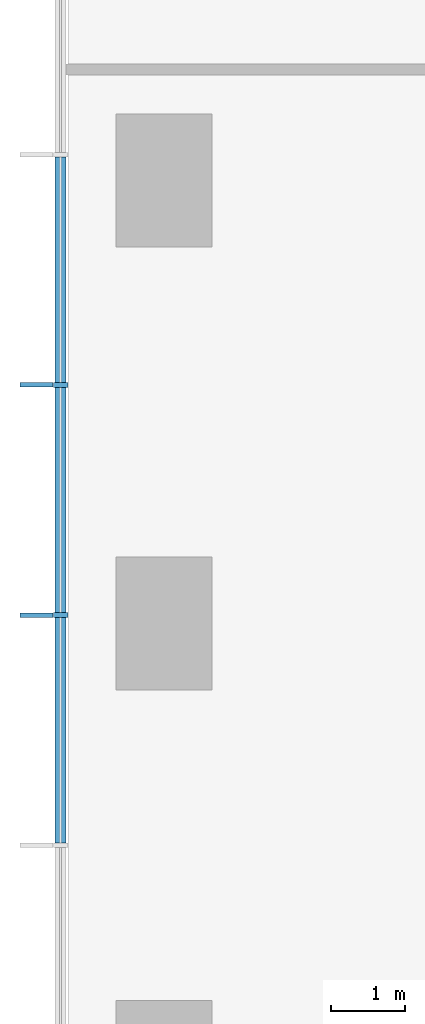
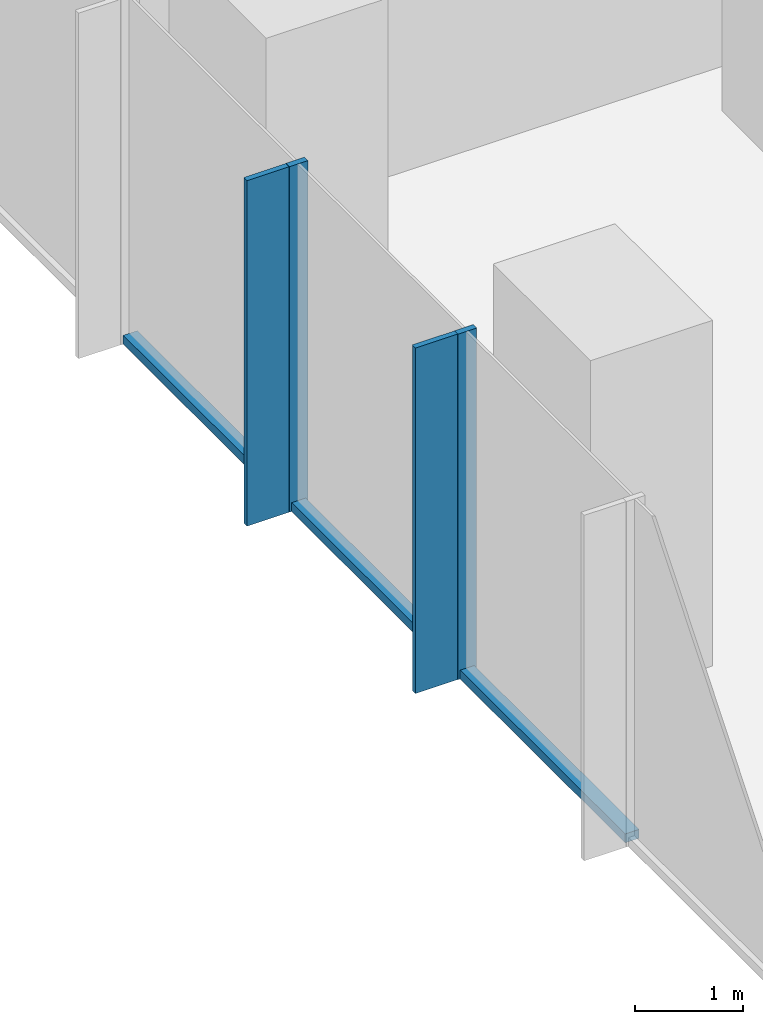
# One storey, part 3 of 11: 7 members, 1 element without a shape of its own.
"""IFC4 building model written with IfcOpenShell, lengths in metres."""

from ifc_helpers import new_model, si_unit, direction, frame, origin, origin_2d, place, context, subcontext, project, spatial, rectangle, extrude, material, layer, layer_set, material_profile, profile_set, type_object, element, aggregate, save


model = new_model("IFC4")

# Units and contexts
model_context = context("Model", 3, precision=1e-05, world=origin(), true_north=direction((0.0, 1.0)))
body_context = subcontext(model_context, "Body", "Model", "MODEL_VIEW")
ifc_project = project(units=[si_unit("LENGTHUNIT", "METRE"), si_unit("AREAUNIT", "SQUARE_METRE"), si_unit("VOLUMEUNIT", "CUBIC_METRE"), si_unit("PLANEANGLEUNIT", "RADIAN"), si_unit("MASSUNIT", "GRAM", prefix="KILO")], contexts=[model_context])

# Site, building, storey
site_placement = place(None, origin())
site = spatial("IfcSite", under=ifc_project, at=site_placement, CompositionType="ELEMENT")
building_placement = place(site_placement, origin())
building = spatial("IfcBuilding", under=site, at=building_placement, Name="Highveld Stack Headquarters", CompositionType="ELEMENT")
storey_placement = place(building_placement, frame((0.0, 0.0, 152.300048828125)))
storey = spatial("IfcBuildingStorey", under=building, at=storey_placement, Name="L37", CompositionType="ELEMENT", Elevation=152.300048828125)

# Curtain wall, members
ifc_material_1 = material(Name="Aluminium bronze anodised", Category="aluminium")
ifc_layer = layer(ifc_material_1, 0.199951171875)
ifc_layer_set = layer_set([ifc_layer], Name="Aluminium bronze anodised")
curtain_wall_type = type_object("IfcCurtainWallType", Name="CW1 TOWER UNITISED CURTAIN WALL", PredefinedType="NOTDEFINED", material=ifc_layer_set)
curtain_wall_placement = place(storey_placement, origin())
curtain_wall = element("IfcCurtainWall", 1, at=curtain_wall_placement, inside=storey, type_object=curtain_wall_type, Name="Curtain wall CW1 L37 W", PredefinedType="NOTDEFINED")
ifc_material_2 = material(Name="Aluminium bronze anodised", Category="aluminium")
ifc_material_profile_1 = material_profile(ifc_material_2, rectangle(XDim=0.449951171875, YDim=0.06005859375, at=origin_2d()), Name="FIN 450x60")
ifc_profile_set_1 = profile_set([ifc_material_profile_1], Name="Aluminium bronze anodised")
member_type_1 = type_object("IfcMemberType", Name="CW1 BRONZE FIN 450x60", PredefinedType="USERDEFINED", material=ifc_profile_set_1)
member_1_placement = place(storey_placement, frame((-19.72509765625, 9.23193359375, 0.0), z_axis=(0.0, 0.0, 1.0), x_axis=(1.0, 0.0, 0.0)))
member_1 = element("IfcMember", 2, at=member_1_placement, type_object=member_type_1, Name="CW1 fin L37 4", ObjectType="FIN", PredefinedType="USERDEFINED", context=body_context, shape_type="SweptSolid", body=[
    extrude(rectangle(XDim=0.449951171875, YDim=0.06005859375, at=origin_2d()), origin(), (0.0, 0.0, 1.0), 3.89990234375),
])
member_2_placement = place(storey_placement, frame((-19.72509765625, 6.115966796875, 0.0), z_axis=(0.0, 0.0, 1.0), x_axis=(1.0, 0.0, 0.0)))
member_2 = element("IfcMember", 3, at=member_2_placement, type_object=member_type_1, Name="CW1 fin L37 5", ObjectType="FIN", PredefinedType="USERDEFINED", context=body_context, shape_type="SweptSolid", body=[
    extrude(rectangle(XDim=0.449951171875, YDim=0.06005859375, at=origin_2d()), origin(), (0.0, 0.0, 1.0), 3.89990234375),
])
ifc_material_3 = material(Name="Aluminium bronze anodised", Category="aluminium")
ifc_material_profile_2 = material_profile(ifc_material_3, rectangle(XDim=0.199951171875, YDim=0.06494140625, at=origin_2d()), Name="CW1 MULLION 65x200")
ifc_profile_set_2 = profile_set([ifc_material_profile_2], Name="Aluminium bronze anodised")
member_type_2 = type_object("IfcMemberType", Name="CW1 MULLION 65x200", PredefinedType="MULLION", material=ifc_profile_set_2)
member_3_placement = place(storey_placement, frame((-19.39990234375, 9.23193359375, 0.0), z_axis=(0.0, 0.0, 1.0), x_axis=(1.0, 0.0, 0.0)))
member_3 = element("IfcMember", 4, at=member_3_placement, type_object=member_type_2, Name="CW1 mullion L37 4", PredefinedType="MULLION", context=body_context, shape_type="SweptSolid", body=[
    extrude(rectangle(XDim=0.199951171875, YDim=0.06494140625, at=origin_2d()), origin(), (0.0, 0.0, 1.0), 3.89990234375),
])
member_4_placement = place(storey_placement, frame((-19.39990234375, 6.115966796875, 0.0), z_axis=(0.0, 0.0, 1.0), x_axis=(1.0, 0.0, 0.0)))
member_4 = element("IfcMember", 5, at=member_4_placement, type_object=member_type_2, Name="CW1 mullion L37 5", PredefinedType="MULLION", context=body_context, shape_type="SweptSolid", body=[
    extrude(rectangle(XDim=0.199951171875, YDim=0.06494140625, at=origin_2d()), origin(), (0.0, 0.0, 1.0), 3.89990234375),
])
ifc_material_4 = material(Name="Aluminium bronze anodised", Category="aluminium")
ifc_material_profile_3 = material_profile(ifc_material_4, rectangle(XDim=0.14990234375, YDim=0.10009765625, at=origin_2d()), Name="CW1 TRANSOM 150x100")
ifc_profile_set_3 = profile_set([ifc_material_profile_3], Name="Aluminium bronze anodised")
member_type_3 = type_object("IfcMemberType", Name="CW1 STACK TRANSOM 150x100", PredefinedType="USERDEFINED", material=ifc_profile_set_3)
member_5_placement = place(storey_placement, frame((-19.39990234375, 12.3154296875, 0.050048828125), z_axis=(0.0, -1.0, 0.0), x_axis=(1.0, 0.0, 0.0)))
member_5 = element("IfcMember", 6, at=member_5_placement, type_object=member_type_3, Name="CW1 transom L37 3.1", ObjectType="TRANSOM", PredefinedType="USERDEFINED", context=body_context, shape_type="SweptSolid", body=[
    extrude(rectangle(XDim=0.14990234375, YDim=0.10009765625, at=origin_2d()), origin(), (0.0, 0.0, 1.0), 3.051025390625),
])
member_6_placement = place(storey_placement, frame((-19.39990234375, 9.199462890625, 0.050048828125), z_axis=(0.0, -1.0, 0.0), x_axis=(1.0, 0.0, 0.0)))
member_6 = element("IfcMember", 7, at=member_6_placement, type_object=member_type_3, Name="CW1 transom L37 4.1", ObjectType="TRANSOM", PredefinedType="USERDEFINED", context=body_context, shape_type="SweptSolid", body=[
    extrude(rectangle(XDim=0.14990234375, YDim=0.10009765625, at=origin_2d()), origin(), (0.0, 0.0, 1.0), 3.051025390625),
])
member_7_placement = place(storey_placement, frame((-19.39990234375, 6.08349609375, 0.050048828125), z_axis=(0.0, -1.0, 0.0), x_axis=(1.0, 0.0, 0.0)))
member_7 = element("IfcMember", 8, at=member_7_placement, type_object=member_type_3, Name="CW1 transom L37 5.1", ObjectType="TRANSOM", PredefinedType="USERDEFINED", context=body_context, shape_type="SweptSolid", body=[
    extrude(rectangle(XDim=0.14990234375, YDim=0.10009765625, at=origin_2d()), origin(), (0.0, 0.0, 1.0), 3.051025390625),
])
aggregate(curtain_wall, [member_3, member_1, member_4, member_2, member_5, member_6, member_7])

save(model, "model.ifc")
